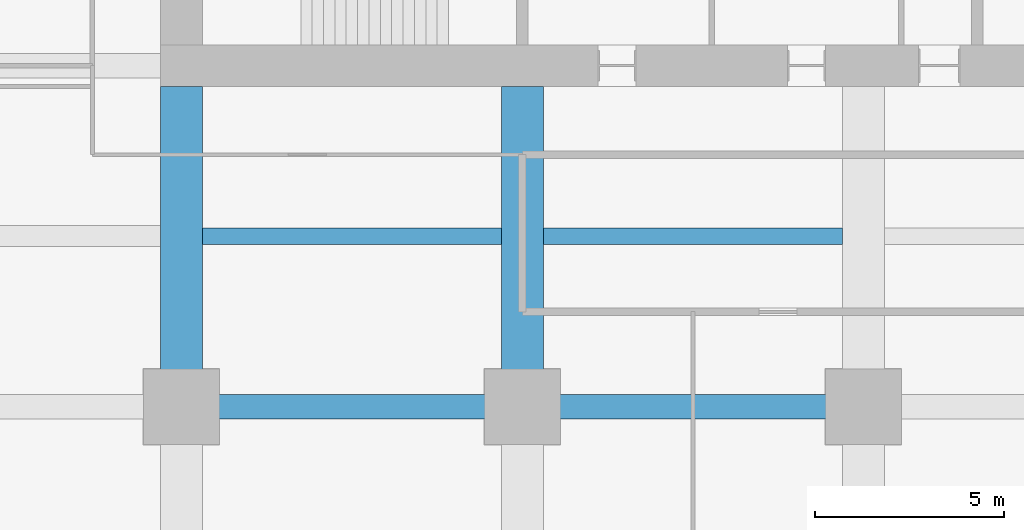
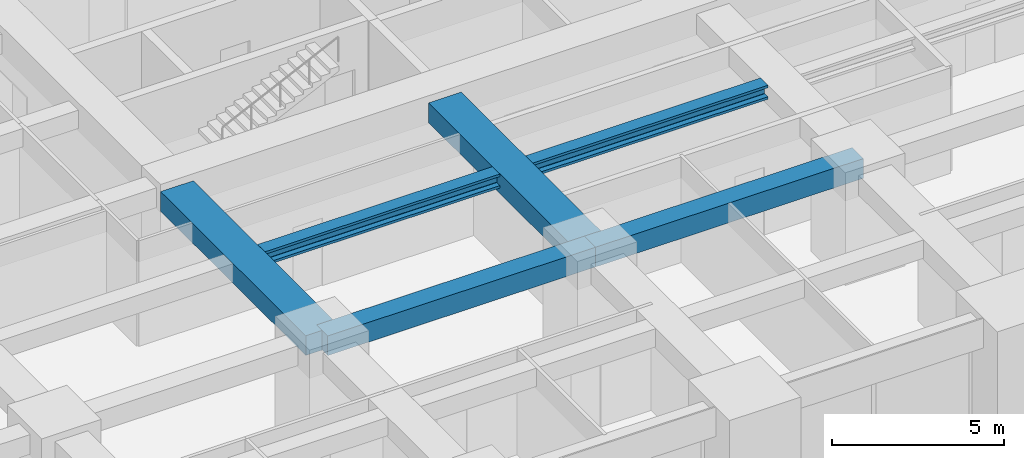
# One storey, part 8 of 41: 6 beams.
"""IFC4 building model written with IfcOpenShell, lengths in metres."""

from ifc_helpers import new_model, si_unit, direction, frame, origin, origin_2d, place, context, subcontext, project, spatial, rectangle, i_section, extrude, material, material_profile, profile_set, type_object, element, save


model = new_model("IFC4")

# Units and contexts
model_context = context("Model", 3, precision=1e-05, world=origin(), true_north=direction((0.0, 1.0)))
body_context = subcontext(model_context, "Body", "Model", "MODEL_VIEW")
ifc_project = project(units=[si_unit("LENGTHUNIT", "METRE"), si_unit("AREAUNIT", "SQUARE_METRE"), si_unit("VOLUMEUNIT", "CUBIC_METRE"), si_unit("PLANEANGLEUNIT", "RADIAN"), si_unit("MASSUNIT", "GRAM", prefix="KILO")], contexts=[model_context])

# Site, building, storey
site_placement = place(None, origin())
site = spatial("IfcSite", under=ifc_project, at=site_placement, CompositionType="ELEMENT")
building_placement = place(site_placement, origin())
building = spatial("IfcBuilding", under=site, at=building_placement, Name="Zorevar Civic Tower", CompositionType="ELEMENT")
storey_placement = place(building_placement, frame((0.0, 0.0, 101.0)))
storey = spatial("IfcBuildingStorey", under=building, at=storey_placement, Name="L24", CompositionType="ELEMENT", Elevation=101.0)

# Beams
ifc_material_1 = material(Name="Concrete C50/60", Category="concrete")
ifc_material_profile_1 = material_profile(ifc_material_1, rectangle(XDim=1.10009765625, YDim=0.699951171875, at=origin_2d()), Name="RC 1100x700")
ifc_profile_set_1 = profile_set([ifc_material_profile_1], Name="Concrete C50/60")
beam_type_1 = type_object("IfcBeamType", Name="Beam RC 1100x700", PredefinedType="BEAM", material=ifc_profile_set_1)
for number, where, z_axis, x_axis, name in (
    (1, (18.0, 9.0, 3.39990234375), (0.0, 1.0, 0.0), (-1.0, 0.0, 0.0), "Girder L25"),
    (2, (27.0, 9.0, 3.39990234375), (0.0, 1.0, 0.0), (-1.0, 0.0, 0.0), "Girder L25"),
):
    element("IfcBeam", number, at=place(storey_placement, frame(where, z_axis=z_axis, x_axis=x_axis)), inside=storey, type_object=beam_type_1, Name=name, PredefinedType="BEAM", context=body_context, shape_type="SweptSolid", body=[
        extrude(rectangle(XDim=1.10009765625, YDim=0.699951171875, at=origin_2d()), origin(), (0.0, 0.0, 1.0), 8.449951171875),
    ])
ifc_material_2 = material(Name="Concrete C50/60", Category="concrete")
ifc_material_profile_2 = material_profile(ifc_material_2, rectangle(XDim=0.64990234375, YDim=0.699951171875, at=origin_2d()), Name="RC 650x700")
ifc_profile_set_2 = profile_set([ifc_material_profile_2], Name="Concrete C50/60")
beam_type_2 = type_object("IfcBeamType", Name="Beam RC 650x700", PredefinedType="BEAM", material=ifc_profile_set_2)
for number, where, z_axis, x_axis, name in (
    (3, (18.0, 9.0, 3.39990234375), (1.0, 0.0, 0.0), (0.0, 1.0, 0.0), "Girder L25"),
    (4, (27.0, 9.0, 3.39990234375), (1.0, 0.0, 0.0), (0.0, 1.0, 0.0), "Girder L25"),
):
    element("IfcBeam", number, at=place(storey_placement, frame(where, z_axis=z_axis, x_axis=x_axis)), inside=storey, type_object=beam_type_2, Name=name, PredefinedType="BEAM", context=body_context, shape_type="SweptSolid", body=[
        extrude(rectangle(XDim=0.64990234375, YDim=0.699951171875, at=origin_2d()), origin(), (0.0, 0.0, 1.0), 9.0),
    ])
ifc_material_3 = material(Name="Steel S460M (HISTAR 460)", Category="steel")
ifc_material_profile_3 = material_profile(ifc_material_3, i_section(OverallWidth=0.431884765625, OverallDepth=0.498046875, WebThickness=0.0556640625, FlangeThickness=0.0888671875, FilletRadius=0.014892578125, at=origin_2d()), Name="HD 400x744")
ifc_profile_set_3 = profile_set([ifc_material_profile_3], Name="Steel S460M (HISTAR 460)")
beam_type_3 = type_object("IfcBeamType", Name="Core bay beam HD 400x744", PredefinedType="BEAM", material=ifc_profile_set_3)
for number, where, z_axis, x_axis, name in (
    (5, (18.550048828125, 13.5, 3.5009765625), (1.0, 0.0, 0.0), (0.0, 1.0, 0.0), "Secondary beam L25"),
    (6, (27.550048828125, 13.5, 3.5009765625), (1.0, 0.0, 0.0), (0.0, 1.0, 0.0), "Secondary beam L25"),
):
    element("IfcBeam", number, at=place(storey_placement, frame(where, z_axis=z_axis, x_axis=x_axis)), inside=storey, type_object=beam_type_3, Name=name, PredefinedType="BEAM", context=body_context, shape_type="SweptSolid", body=[
        extrude(i_section(OverallWidth=0.431884765625, OverallDepth=0.498046875, WebThickness=0.0556640625, FlangeThickness=0.0888671875, FilletRadius=0.014892578125, at=origin_2d()), origin(), (0.0, 0.0, 1.0), 7.89990234375),
    ])

save(model, "model.ifc")
